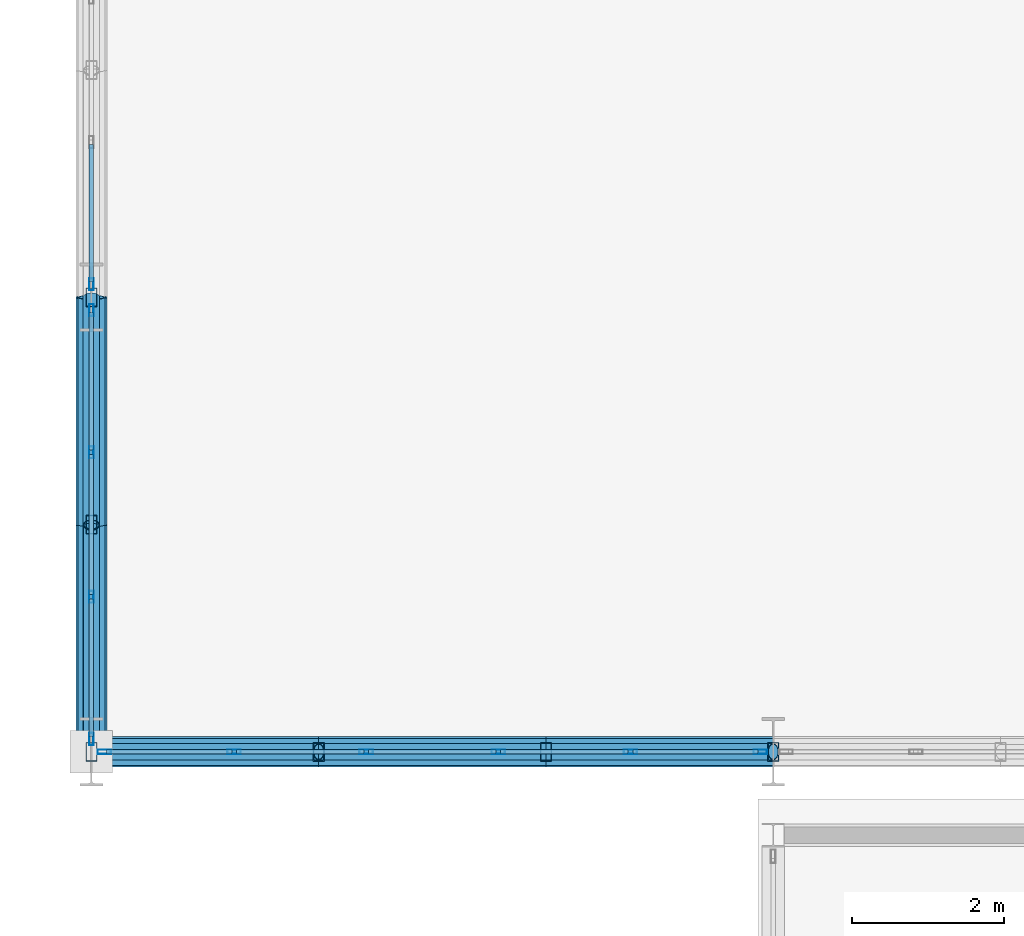
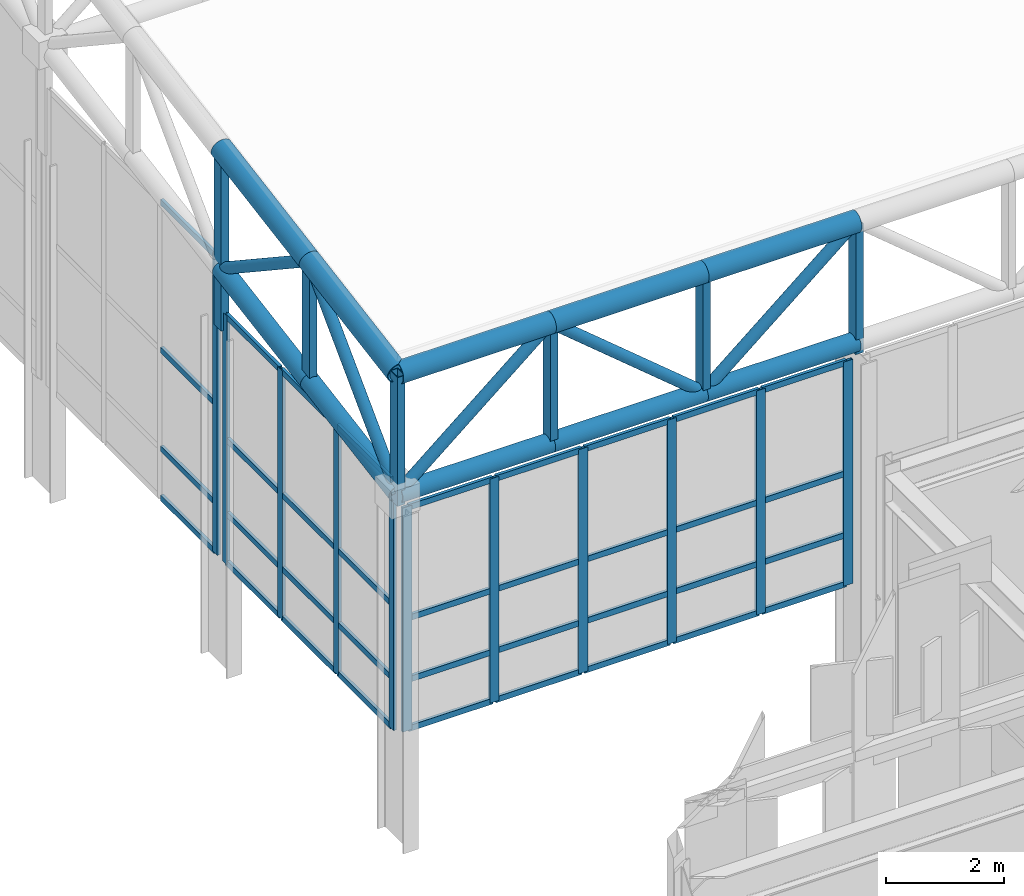
# One storey, part 32 of 239: 68 members, 3 elements without a shape of their own.
"""IFC4 building model written with IfcOpenShell, lengths in metres."""

from ifc_helpers import new_model, si_unit, direction, frame, origin, origin_2d, place, context, subcontext, project, spatial, hollow_rectangle, hollow_circle, extrude, material, material_profile, profile_set, type_object, element, aggregate, save


model = new_model("IFC4")

# Units and contexts
model_context = context("Model", 3, precision=1e-05, world=origin(), true_north=direction((0.0, 1.0)))
body_context = subcontext(model_context, "Body", "Model", "MODEL_VIEW")
ifc_project = project(units=[si_unit("LENGTHUNIT", "METRE"), si_unit("AREAUNIT", "SQUARE_METRE"), si_unit("VOLUMEUNIT", "CUBIC_METRE"), si_unit("PLANEANGLEUNIT", "RADIAN"), si_unit("MASSUNIT", "GRAM", prefix="KILO")], contexts=[model_context])

# Site, building, storey
site_placement = place(None, origin())
site = spatial("IfcSite", under=ifc_project, at=site_placement, CompositionType="ELEMENT")
building_placement = place(site_placement, origin())
building = spatial("IfcBuilding", under=site, at=building_placement, Name="Kaldris Quays Convention Centre", CompositionType="ELEMENT")
storey_placement = place(building_placement, frame((0.0, 0.0, 11.39990234375)))
storey = spatial("IfcBuildingStorey", under=building, at=storey_placement, Name="L02", CompositionType="ELEMENT", Elevation=11.39990234375)

# Curtain wall, members
ifc_material_1 = material(Name="Anodized aluminium AW-6060 and triple glazing", Category="aluminium")
curtain_wall_type = type_object("IfcCurtainWallType", Name="UNITISED CURTAIN WALL CW03", PredefinedType="NOTDEFINED", material=ifc_material_1)
curtain_wall_1_placement = place(storey_placement, origin())
curtain_wall_1 = element("IfcCurtainWall", 1, at=curtain_wall_1_placement, inside=storey, type_object=curtain_wall_type, Name="L02 Unitised Curtain Wall CW03 213", PredefinedType="NOTDEFINED")
ifc_material_2 = material(Name="Anodized aluminium AW-6060", Category="aluminium")
ifc_material_profile_1 = material_profile(ifc_material_2, hollow_rectangle(XDim=0.06005859375, YDim=0.159912109375, WallThickness=0.00390625, at=origin_2d()), Name="RHS 160x60x4")
ifc_profile_set_1 = profile_set([ifc_material_profile_1], Name="Anodized aluminium AW-6060")
member_type_1 = type_object("IfcMemberType", Name="CURTAIN MULLION CWM1", PredefinedType="MULLION", material=ifc_profile_set_1)
member_1_placement = place(storey_placement, frame((20.0, 56.169921875, 2.195068359375), z_axis=(0.0, 0.0, 1.0), x_axis=(-1.0, 0.0, 0.0)))
member_1 = element("IfcMember", 2, at=member_1_placement, type_object=member_type_1, Name="CW03 mullion 1", PredefinedType="MULLION", context=body_context, shape_type="SweptSolid", body=[
    extrude(hollow_rectangle(XDim=0.06005859375, YDim=0.159912109375, WallThickness=0.00390625, at=origin_2d()), origin(), (0.0, 0.0, 1.0), 5.1689453125),
])
member_2_placement = place(storey_placement, frame((20.0, 58.046630859375, 2.195068359375), z_axis=(0.0, 0.0, 1.0), x_axis=(-1.0, 0.0, 0.0)))
member_2 = element("IfcMember", 3, at=member_2_placement, type_object=member_type_1, Name="CW03 mullion 2", PredefinedType="MULLION", context=body_context, shape_type="SweptSolid", body=[
    extrude(hollow_rectangle(XDim=0.06005859375, YDim=0.159912109375, WallThickness=0.00390625, at=origin_2d()), origin(), (0.0, 0.0, 1.0), 5.1689453125),
])
member_3_placement = place(storey_placement, frame((20.0, 59.953369140625, 2.195068359375), z_axis=(0.0, 0.0, 1.0), x_axis=(-1.0, 0.0, 0.0)))
member_3 = element("IfcMember", 4, at=member_3_placement, type_object=member_type_1, Name="CW03 mullion 3", PredefinedType="MULLION", context=body_context, shape_type="SweptSolid", body=[
    extrude(hollow_rectangle(XDim=0.06005859375, YDim=0.159912109375, WallThickness=0.00390625, at=origin_2d()), origin(), (0.0, 0.0, 1.0), 5.1689453125),
])
member_4_placement = place(storey_placement, frame((20.0, 61.830078125, 2.195068359375), z_axis=(0.0, 0.0, 1.0), x_axis=(-1.0, 0.0, 0.0)))
member_4 = element("IfcMember", 5, at=member_4_placement, type_object=member_type_1, Name="CW03 mullion 4", PredefinedType="MULLION", context=body_context, shape_type="SweptSolid", body=[
    extrude(hollow_rectangle(XDim=0.06005859375, YDim=0.159912109375, WallThickness=0.00390625, at=origin_2d()), origin(), (0.0, 0.0, 1.0), 5.1689453125),
])

# Curtain wall, member
curtain_wall_2_placement = place(storey_placement, origin())
curtain_wall_2 = element("IfcCurtainWall", 6, at=curtain_wall_2_placement, inside=storey, type_object=curtain_wall_type, Name="L02 Unitised Curtain Wall CW03 214", PredefinedType="NOTDEFINED")
member_5_placement = place(storey_placement, frame((20.0, 62.169921875, 2.195068359375), z_axis=(0.0, 0.0, 1.0), x_axis=(-1.0, 0.0, 0.0)))
member_5 = element("IfcMember", 7, at=member_5_placement, type_object=member_type_1, Name="CW03 mullion 1", PredefinedType="MULLION", context=body_context, shape_type="SweptSolid", body=[
    extrude(hollow_rectangle(XDim=0.06005859375, YDim=0.159912109375, WallThickness=0.00390625, at=origin_2d()), origin(), (0.0, 0.0, 1.0), 6.197998046875),
])

# Curtain wall, members
curtain_wall_3_placement = place(storey_placement, origin())
curtain_wall_3 = element("IfcCurtainWall", 8, at=curtain_wall_3_placement, inside=storey, type_object=curtain_wall_type, Name="L02 Unitised Curtain Wall CW03 227", PredefinedType="NOTDEFINED")
ifc_material_profile_2 = material_profile(ifc_material_2, hollow_rectangle(XDim=0.06005859375, YDim=0.179931640625, WallThickness=0.0048828125, at=origin_2d()), Name="RHS 180x60x5")
ifc_profile_set_2 = profile_set([ifc_material_profile_2], Name="Anodized aluminium AW-6060")
member_type_2 = type_object("IfcMemberType", Name="CURTAIN MULLION CWM2", PredefinedType="MULLION", material=ifc_profile_set_2)
member_6_placement = place(storey_placement, frame((20.169921875, 56.0, 2.195068359375), z_axis=(0.0, 0.0, 1.0), x_axis=(0.0, 1.0, 0.0)))
member_6 = element("IfcMember", 9, at=member_6_placement, type_object=member_type_2, Name="CW03 mullion 1", PredefinedType="MULLION", context=body_context, shape_type="SweptSolid", body=[
    extrude(hollow_rectangle(XDim=0.06005859375, YDim=0.179931640625, WallThickness=0.0048828125, at=origin_2d()), origin(), (0.0, 0.0, 1.0), 4.655029296875),
])
member_7_placement = place(storey_placement, frame((21.884033203125, 56.0, 2.195068359375), z_axis=(0.0, 0.0, 1.0), x_axis=(0.0, 1.0, 0.0)))
member_7 = element("IfcMember", 10, at=member_7_placement, type_object=member_type_2, Name="CW03 mullion 2", PredefinedType="MULLION", context=body_context, shape_type="SweptSolid", body=[
    extrude(hollow_rectangle(XDim=0.06005859375, YDim=0.179931640625, WallThickness=0.0048828125, at=origin_2d()), origin(), (0.0, 0.0, 1.0), 4.655029296875),
])
member_8_placement = place(storey_placement, frame((23.6279296875, 56.0, 2.195068359375), z_axis=(0.0, 0.0, 1.0), x_axis=(0.0, 1.0, 0.0)))
member_8 = element("IfcMember", 11, at=member_8_placement, type_object=member_type_2, Name="CW03 mullion 3", PredefinedType="MULLION", context=body_context, shape_type="SweptSolid", body=[
    extrude(hollow_rectangle(XDim=0.06005859375, YDim=0.179931640625, WallThickness=0.0048828125, at=origin_2d()), origin(), (0.0, 0.0, 1.0), 4.655029296875),
])
member_9_placement = place(storey_placement, frame((25.3720703125, 56.0, 2.195068359375), z_axis=(0.0, 0.0, 1.0), x_axis=(0.0, 1.0, 0.0)))
member_9 = element("IfcMember", 12, at=member_9_placement, type_object=member_type_2, Name="CW03 mullion 4", PredefinedType="MULLION", context=body_context, shape_type="SweptSolid", body=[
    extrude(hollow_rectangle(XDim=0.06005859375, YDim=0.179931640625, WallThickness=0.0048828125, at=origin_2d()), origin(), (0.0, 0.0, 1.0), 4.655029296875),
])
member_10_placement = place(storey_placement, frame((27.115966796875, 56.0, 2.195068359375), z_axis=(0.0, 0.0, 1.0), x_axis=(0.0, 1.0, 0.0)))
member_10 = element("IfcMember", 13, at=member_10_placement, type_object=member_type_2, Name="CW03 mullion 5", PredefinedType="MULLION", context=body_context, shape_type="SweptSolid", body=[
    extrude(hollow_rectangle(XDim=0.06005859375, YDim=0.179931640625, WallThickness=0.0048828125, at=origin_2d()), origin(), (0.0, 0.0, 1.0), 4.655029296875),
])
member_11_placement = place(storey_placement, frame((28.830078125, 56.0, 2.195068359375), z_axis=(0.0, 0.0, 1.0), x_axis=(0.0, 1.0, 0.0)))
member_11 = element("IfcMember", 14, at=member_11_placement, type_object=member_type_2, Name="CW03 mullion 6", PredefinedType="MULLION", context=body_context, shape_type="SweptSolid", body=[
    extrude(hollow_rectangle(XDim=0.06005859375, YDim=0.179931640625, WallThickness=0.0048828125, at=origin_2d()), origin(), (0.0, 0.0, 1.0), 4.655029296875),
])

# Member
ifc_material_profile_3 = material_profile(ifc_material_2, hollow_rectangle(XDim=0.06005859375, YDim=0.1201171875, WallThickness=0.00390625, at=origin_2d()), Name="RHS 120x60x4")
ifc_profile_set_3 = profile_set([ifc_material_profile_3], Name="Anodized aluminium AW-6060")
member_type_3 = type_object("IfcMemberType", Name="CURTAIN TRANSOM CWT1", PredefinedType="USERDEFINED", material=ifc_profile_set_3)
member_12_placement = place(storey_placement, frame((20.0, 56.199951171875, 2.22509765625), z_axis=(0.0, 1.0, 0.0), x_axis=(-1.0, 0.0, 0.0)))
member_12 = element("IfcMember", 15, at=member_12_placement, type_object=member_type_3, Name="CW03 transom 1.1", ObjectType="TRANSOM", PredefinedType="USERDEFINED", context=body_context, shape_type="SweptSolid", body=[
    extrude(hollow_rectangle(XDim=0.06005859375, YDim=0.1201171875, WallThickness=0.00390625, at=origin_2d()), origin(), (0.0, 0.0, 1.0), 1.816650390625),
])

member_13_placement = place(storey_placement, frame((20.0, 56.199951171875, 3.2451171875), z_axis=(0.0, 1.0, 0.0), x_axis=(-1.0, 0.0, 0.0)))
member_13 = element("IfcMember", 16, at=member_13_placement, type_object=member_type_3, Name="CW03 transom 1.2", ObjectType="TRANSOM", PredefinedType="USERDEFINED", context=body_context, shape_type="SweptSolid", body=[
    extrude(hollow_rectangle(XDim=0.06005859375, YDim=0.1201171875, WallThickness=0.00390625, at=origin_2d()), origin(), (0.0, 0.0, 1.0), 1.816650390625),
])

member_14_placement = place(storey_placement, frame((20.0, 56.199951171875, 4.780029296875), z_axis=(0.0, 1.0, 0.0), x_axis=(-1.0, 0.0, 0.0)))
member_14 = element("IfcMember", 17, at=member_14_placement, type_object=member_type_3, Name="CW03 transom 1.3", ObjectType="TRANSOM", PredefinedType="USERDEFINED", context=body_context, shape_type="SweptSolid", body=[
    extrude(hollow_rectangle(XDim=0.06005859375, YDim=0.1201171875, WallThickness=0.00390625, at=origin_2d()), origin(), (0.0, 0.0, 1.0), 1.816650390625),
])

member_15_placement = place(storey_placement, frame((20.0, 56.199951171875, 7.333984375), z_axis=(0.0, 1.0, 0.0), x_axis=(-1.0, 0.0, 0.0)))
member_15 = element("IfcMember", 18, at=member_15_placement, type_object=member_type_3, Name="CW03 transom 1.4", ObjectType="TRANSOM", PredefinedType="USERDEFINED", context=body_context, shape_type="SweptSolid", body=[
    extrude(hollow_rectangle(XDim=0.06005859375, YDim=0.1201171875, WallThickness=0.00390625, at=origin_2d()), origin(), (0.0, 0.0, 1.0), 1.816650390625),
])

member_16_placement = place(storey_placement, frame((20.0, 58.07666015625, 2.22509765625), z_axis=(0.0, 1.0, 0.0), x_axis=(-1.0, 0.0, 0.0)))
member_16 = element("IfcMember", 19, at=member_16_placement, type_object=member_type_3, Name="CW03 transom 2.1", ObjectType="TRANSOM", PredefinedType="USERDEFINED", context=body_context, shape_type="SweptSolid", body=[
    extrude(hollow_rectangle(XDim=0.06005859375, YDim=0.1201171875, WallThickness=0.00390625, at=origin_2d()), origin(), (0.0, 0.0, 1.0), 1.8466796875),
])

member_17_placement = place(storey_placement, frame((20.0, 58.07666015625, 3.2451171875), z_axis=(0.0, 1.0, 0.0), x_axis=(-1.0, 0.0, 0.0)))
member_17 = element("IfcMember", 20, at=member_17_placement, type_object=member_type_3, Name="CW03 transom 2.2", ObjectType="TRANSOM", PredefinedType="USERDEFINED", context=body_context, shape_type="SweptSolid", body=[
    extrude(hollow_rectangle(XDim=0.06005859375, YDim=0.1201171875, WallThickness=0.00390625, at=origin_2d()), origin(), (0.0, 0.0, 1.0), 1.8466796875),
])

member_18_placement = place(storey_placement, frame((20.0, 58.07666015625, 4.780029296875), z_axis=(0.0, 1.0, 0.0), x_axis=(-1.0, 0.0, 0.0)))
member_18 = element("IfcMember", 21, at=member_18_placement, type_object=member_type_3, Name="CW03 transom 2.3", ObjectType="TRANSOM", PredefinedType="USERDEFINED", context=body_context, shape_type="SweptSolid", body=[
    extrude(hollow_rectangle(XDim=0.06005859375, YDim=0.1201171875, WallThickness=0.00390625, at=origin_2d()), origin(), (0.0, 0.0, 1.0), 1.8466796875),
])

member_19_placement = place(storey_placement, frame((20.0, 58.07666015625, 7.333984375), z_axis=(0.0, 1.0, 0.0), x_axis=(-1.0, 0.0, 0.0)))
member_19 = element("IfcMember", 22, at=member_19_placement, type_object=member_type_3, Name="CW03 transom 2.4", ObjectType="TRANSOM", PredefinedType="USERDEFINED", context=body_context, shape_type="SweptSolid", body=[
    extrude(hollow_rectangle(XDim=0.06005859375, YDim=0.1201171875, WallThickness=0.00390625, at=origin_2d()), origin(), (0.0, 0.0, 1.0), 1.8466796875),
])

member_20_placement = place(storey_placement, frame((20.0, 59.9833984375, 2.22509765625), z_axis=(0.0, 1.0, 0.0), x_axis=(-1.0, 0.0, 0.0)))
member_20 = element("IfcMember", 23, at=member_20_placement, type_object=member_type_3, Name="CW03 transom 3.1", ObjectType="TRANSOM", PredefinedType="USERDEFINED", context=body_context, shape_type="SweptSolid", body=[
    extrude(hollow_rectangle(XDim=0.06005859375, YDim=0.1201171875, WallThickness=0.00390625, at=origin_2d()), origin(), (0.0, 0.0, 1.0), 1.816650390625),
])

member_21_placement = place(storey_placement, frame((20.0, 59.9833984375, 3.2451171875), z_axis=(0.0, 1.0, 0.0), x_axis=(-1.0, 0.0, 0.0)))
member_21 = element("IfcMember", 24, at=member_21_placement, type_object=member_type_3, Name="CW03 transom 3.2", ObjectType="TRANSOM", PredefinedType="USERDEFINED", context=body_context, shape_type="SweptSolid", body=[
    extrude(hollow_rectangle(XDim=0.06005859375, YDim=0.1201171875, WallThickness=0.00390625, at=origin_2d()), origin(), (0.0, 0.0, 1.0), 1.816650390625),
])

member_22_placement = place(storey_placement, frame((20.0, 59.9833984375, 4.780029296875), z_axis=(0.0, 1.0, 0.0), x_axis=(-1.0, 0.0, 0.0)))
member_22 = element("IfcMember", 25, at=member_22_placement, type_object=member_type_3, Name="CW03 transom 3.3", ObjectType="TRANSOM", PredefinedType="USERDEFINED", context=body_context, shape_type="SweptSolid", body=[
    extrude(hollow_rectangle(XDim=0.06005859375, YDim=0.1201171875, WallThickness=0.00390625, at=origin_2d()), origin(), (0.0, 0.0, 1.0), 1.816650390625),
])

member_23_placement = place(storey_placement, frame((20.0, 59.9833984375, 7.333984375), z_axis=(0.0, 1.0, 0.0), x_axis=(-1.0, 0.0, 0.0)))
member_23 = element("IfcMember", 26, at=member_23_placement, type_object=member_type_3, Name="CW03 transom 3.4", ObjectType="TRANSOM", PredefinedType="USERDEFINED", context=body_context, shape_type="SweptSolid", body=[
    extrude(hollow_rectangle(XDim=0.06005859375, YDim=0.1201171875, WallThickness=0.00390625, at=origin_2d()), origin(), (0.0, 0.0, 1.0), 1.816650390625),
])

aggregate(curtain_wall_1, [member_1, member_2, member_3, member_4, member_12, member_13, member_14, member_15, member_16, member_17, member_18, member_19, member_20, member_21, member_22, member_23])

member_24_placement = place(storey_placement, frame((20.0, 62.199951171875, 2.22509765625), z_axis=(0.0, 1.0, 0.0), x_axis=(-1.0, 0.0, 0.0)))
member_24 = element("IfcMember", 27, at=member_24_placement, type_object=member_type_3, Name="CW03 transom 1.1", ObjectType="TRANSOM", PredefinedType="USERDEFINED", context=body_context, shape_type="SweptSolid", body=[
    extrude(hollow_rectangle(XDim=0.06005859375, YDim=0.1201171875, WallThickness=0.00390625, at=origin_2d()), origin(), (0.0, 0.0, 1.0), 1.816650390625),
])

member_25_placement = place(storey_placement, frame((20.0, 62.199951171875, 3.2451171875), z_axis=(0.0, 1.0, 0.0), x_axis=(-1.0, 0.0, 0.0)))
member_25 = element("IfcMember", 28, at=member_25_placement, type_object=member_type_3, Name="CW03 transom 1.2", ObjectType="TRANSOM", PredefinedType="USERDEFINED", context=body_context, shape_type="SweptSolid", body=[
    extrude(hollow_rectangle(XDim=0.06005859375, YDim=0.1201171875, WallThickness=0.00390625, at=origin_2d()), origin(), (0.0, 0.0, 1.0), 1.816650390625),
])

member_26_placement = place(storey_placement, frame((20.0, 62.199951171875, 5.294189453125), z_axis=(0.0, 1.0, 0.0), x_axis=(-1.0, 0.0, 0.0)))
member_26 = element("IfcMember", 29, at=member_26_placement, type_object=member_type_3, Name="CW03 transom 1.3", ObjectType="TRANSOM", PredefinedType="USERDEFINED", context=body_context, shape_type="SweptSolid", body=[
    extrude(hollow_rectangle(XDim=0.06005859375, YDim=0.1201171875, WallThickness=0.00390625, at=origin_2d()), origin(), (0.0, 0.0, 1.0), 1.816650390625),
])

member_27_placement = place(storey_placement, frame((20.0, 62.199951171875, 8.363037109375), z_axis=(0.0, 1.0, 0.0), x_axis=(-1.0, 0.0, 0.0)))
member_27 = element("IfcMember", 30, at=member_27_placement, type_object=member_type_3, Name="CW03 transom 1.4", ObjectType="TRANSOM", PredefinedType="USERDEFINED", context=body_context, shape_type="SweptSolid", body=[
    extrude(hollow_rectangle(XDim=0.06005859375, YDim=0.1201171875, WallThickness=0.00390625, at=origin_2d()), origin(), (0.0, 0.0, 1.0), 1.816650390625),
])

aggregate(curtain_wall_2, [member_5, member_24, member_25, member_26, member_27])

member_28_placement = place(storey_placement, frame((20.199951171875, 56.0, 2.22509765625), z_axis=(1.0, 0.0, 0.0), x_axis=(0.0, 1.0, 0.0)))
member_28 = element("IfcMember", 31, at=member_28_placement, type_object=member_type_3, Name="CW03 transom 1.1", ObjectType="TRANSOM", PredefinedType="USERDEFINED", context=body_context, shape_type="SweptSolid", body=[
    extrude(hollow_rectangle(XDim=0.06005859375, YDim=0.1201171875, WallThickness=0.00390625, at=origin_2d()), origin(), (0.0, 0.0, 1.0), 1.654052734375),
])

member_29_placement = place(storey_placement, frame((20.199951171875, 56.0, 3.2451171875), z_axis=(1.0, 0.0, 0.0), x_axis=(0.0, 1.0, 0.0)))
member_29 = element("IfcMember", 32, at=member_29_placement, type_object=member_type_3, Name="CW03 transom 1.2", ObjectType="TRANSOM", PredefinedType="USERDEFINED", context=body_context, shape_type="SweptSolid", body=[
    extrude(hollow_rectangle(XDim=0.06005859375, YDim=0.1201171875, WallThickness=0.00390625, at=origin_2d()), origin(), (0.0, 0.0, 1.0), 1.654052734375),
])

member_30_placement = place(storey_placement, frame((20.199951171875, 56.0, 4.522216796875), z_axis=(1.0, 0.0, 0.0), x_axis=(0.0, 1.0, 0.0)))
member_30 = element("IfcMember", 33, at=member_30_placement, type_object=member_type_3, Name="CW03 transom 1.3", ObjectType="TRANSOM", PredefinedType="USERDEFINED", context=body_context, shape_type="SweptSolid", body=[
    extrude(hollow_rectangle(XDim=0.06005859375, YDim=0.1201171875, WallThickness=0.00390625, at=origin_2d()), origin(), (0.0, 0.0, 1.0), 1.654052734375),
])

member_31_placement = place(storey_placement, frame((20.199951171875, 56.0, 6.820068359375), z_axis=(1.0, 0.0, 0.0), x_axis=(0.0, 1.0, 0.0)))
member_31 = element("IfcMember", 34, at=member_31_placement, type_object=member_type_3, Name="CW03 transom 1.4", ObjectType="TRANSOM", PredefinedType="USERDEFINED", context=body_context, shape_type="SweptSolid", body=[
    extrude(hollow_rectangle(XDim=0.06005859375, YDim=0.1201171875, WallThickness=0.00390625, at=origin_2d()), origin(), (0.0, 0.0, 1.0), 1.654052734375),
])

member_32_placement = place(storey_placement, frame((21.9140625, 56.0, 2.22509765625), z_axis=(1.0, 0.0, 0.0), x_axis=(0.0, 1.0, 0.0)))
member_32 = element("IfcMember", 35, at=member_32_placement, type_object=member_type_3, Name="CW03 transom 2.1", ObjectType="TRANSOM", PredefinedType="USERDEFINED", context=body_context, shape_type="SweptSolid", body=[
    extrude(hollow_rectangle(XDim=0.06005859375, YDim=0.1201171875, WallThickness=0.00390625, at=origin_2d()), origin(), (0.0, 0.0, 1.0), 1.683837890625),
])

member_33_placement = place(storey_placement, frame((21.9140625, 56.0, 3.2451171875), z_axis=(1.0, 0.0, 0.0), x_axis=(0.0, 1.0, 0.0)))
member_33 = element("IfcMember", 36, at=member_33_placement, type_object=member_type_3, Name="CW03 transom 2.2", ObjectType="TRANSOM", PredefinedType="USERDEFINED", context=body_context, shape_type="SweptSolid", body=[
    extrude(hollow_rectangle(XDim=0.06005859375, YDim=0.1201171875, WallThickness=0.00390625, at=origin_2d()), origin(), (0.0, 0.0, 1.0), 1.683837890625),
])

member_34_placement = place(storey_placement, frame((21.9140625, 56.0, 4.522216796875), z_axis=(1.0, 0.0, 0.0), x_axis=(0.0, 1.0, 0.0)))
member_34 = element("IfcMember", 37, at=member_34_placement, type_object=member_type_3, Name="CW03 transom 2.3", ObjectType="TRANSOM", PredefinedType="USERDEFINED", context=body_context, shape_type="SweptSolid", body=[
    extrude(hollow_rectangle(XDim=0.06005859375, YDim=0.1201171875, WallThickness=0.00390625, at=origin_2d()), origin(), (0.0, 0.0, 1.0), 1.683837890625),
])

member_35_placement = place(storey_placement, frame((21.9140625, 56.0, 6.820068359375), z_axis=(1.0, 0.0, 0.0), x_axis=(0.0, 1.0, 0.0)))
member_35 = element("IfcMember", 38, at=member_35_placement, type_object=member_type_3, Name="CW03 transom 2.4", ObjectType="TRANSOM", PredefinedType="USERDEFINED", context=body_context, shape_type="SweptSolid", body=[
    extrude(hollow_rectangle(XDim=0.06005859375, YDim=0.1201171875, WallThickness=0.00390625, at=origin_2d()), origin(), (0.0, 0.0, 1.0), 1.683837890625),
])

member_36_placement = place(storey_placement, frame((23.657958984375, 56.0, 2.22509765625), z_axis=(1.0, 0.0, 0.0), x_axis=(0.0, 1.0, 0.0)))
member_36 = element("IfcMember", 39, at=member_36_placement, type_object=member_type_3, Name="CW03 transom 3.1", ObjectType="TRANSOM", PredefinedType="USERDEFINED", context=body_context, shape_type="SweptSolid", body=[
    extrude(hollow_rectangle(XDim=0.06005859375, YDim=0.1201171875, WallThickness=0.00390625, at=origin_2d()), origin(), (0.0, 0.0, 1.0), 1.68408203125),
])

member_37_placement = place(storey_placement, frame((23.657958984375, 56.0, 3.2451171875), z_axis=(1.0, 0.0, 0.0), x_axis=(0.0, 1.0, 0.0)))
member_37 = element("IfcMember", 40, at=member_37_placement, type_object=member_type_3, Name="CW03 transom 3.2", ObjectType="TRANSOM", PredefinedType="USERDEFINED", context=body_context, shape_type="SweptSolid", body=[
    extrude(hollow_rectangle(XDim=0.06005859375, YDim=0.1201171875, WallThickness=0.00390625, at=origin_2d()), origin(), (0.0, 0.0, 1.0), 1.68408203125),
])

member_38_placement = place(storey_placement, frame((23.657958984375, 56.0, 4.522216796875), z_axis=(1.0, 0.0, 0.0), x_axis=(0.0, 1.0, 0.0)))
member_38 = element("IfcMember", 41, at=member_38_placement, type_object=member_type_3, Name="CW03 transom 3.3", ObjectType="TRANSOM", PredefinedType="USERDEFINED", context=body_context, shape_type="SweptSolid", body=[
    extrude(hollow_rectangle(XDim=0.06005859375, YDim=0.1201171875, WallThickness=0.00390625, at=origin_2d()), origin(), (0.0, 0.0, 1.0), 1.68408203125),
])

member_39_placement = place(storey_placement, frame((23.657958984375, 56.0, 6.820068359375), z_axis=(1.0, 0.0, 0.0), x_axis=(0.0, 1.0, 0.0)))
member_39 = element("IfcMember", 42, at=member_39_placement, type_object=member_type_3, Name="CW03 transom 3.4", ObjectType="TRANSOM", PredefinedType="USERDEFINED", context=body_context, shape_type="SweptSolid", body=[
    extrude(hollow_rectangle(XDim=0.06005859375, YDim=0.1201171875, WallThickness=0.00390625, at=origin_2d()), origin(), (0.0, 0.0, 1.0), 1.68408203125),
])

member_40_placement = place(storey_placement, frame((25.402099609375, 56.0, 2.22509765625), z_axis=(1.0, 0.0, 0.0), x_axis=(0.0, 1.0, 0.0)))
member_40 = element("IfcMember", 43, at=member_40_placement, type_object=member_type_3, Name="CW03 transom 4.1", ObjectType="TRANSOM", PredefinedType="USERDEFINED", context=body_context, shape_type="SweptSolid", body=[
    extrude(hollow_rectangle(XDim=0.06005859375, YDim=0.1201171875, WallThickness=0.00390625, at=origin_2d()), origin(), (0.0, 0.0, 1.0), 1.683837890625),
])

member_41_placement = place(storey_placement, frame((25.402099609375, 56.0, 3.2451171875), z_axis=(1.0, 0.0, 0.0), x_axis=(0.0, 1.0, 0.0)))
member_41 = element("IfcMember", 44, at=member_41_placement, type_object=member_type_3, Name="CW03 transom 4.2", ObjectType="TRANSOM", PredefinedType="USERDEFINED", context=body_context, shape_type="SweptSolid", body=[
    extrude(hollow_rectangle(XDim=0.06005859375, YDim=0.1201171875, WallThickness=0.00390625, at=origin_2d()), origin(), (0.0, 0.0, 1.0), 1.683837890625),
])

member_42_placement = place(storey_placement, frame((25.402099609375, 56.0, 4.522216796875), z_axis=(1.0, 0.0, 0.0), x_axis=(0.0, 1.0, 0.0)))
member_42 = element("IfcMember", 45, at=member_42_placement, type_object=member_type_3, Name="CW03 transom 4.3", ObjectType="TRANSOM", PredefinedType="USERDEFINED", context=body_context, shape_type="SweptSolid", body=[
    extrude(hollow_rectangle(XDim=0.06005859375, YDim=0.1201171875, WallThickness=0.00390625, at=origin_2d()), origin(), (0.0, 0.0, 1.0), 1.683837890625),
])

member_43_placement = place(storey_placement, frame((25.402099609375, 56.0, 6.820068359375), z_axis=(1.0, 0.0, 0.0), x_axis=(0.0, 1.0, 0.0)))
member_43 = element("IfcMember", 46, at=member_43_placement, type_object=member_type_3, Name="CW03 transom 4.4", ObjectType="TRANSOM", PredefinedType="USERDEFINED", context=body_context, shape_type="SweptSolid", body=[
    extrude(hollow_rectangle(XDim=0.06005859375, YDim=0.1201171875, WallThickness=0.00390625, at=origin_2d()), origin(), (0.0, 0.0, 1.0), 1.683837890625),
])

member_44_placement = place(storey_placement, frame((27.14599609375, 56.0, 2.22509765625), z_axis=(1.0, 0.0, 0.0), x_axis=(0.0, 1.0, 0.0)))
member_44 = element("IfcMember", 47, at=member_44_placement, type_object=member_type_3, Name="CW03 transom 5.1", ObjectType="TRANSOM", PredefinedType="USERDEFINED", context=body_context, shape_type="SweptSolid", body=[
    extrude(hollow_rectangle(XDim=0.06005859375, YDim=0.1201171875, WallThickness=0.00390625, at=origin_2d()), origin(), (0.0, 0.0, 1.0), 1.654052734375),
])

member_45_placement = place(storey_placement, frame((27.14599609375, 56.0, 3.2451171875), z_axis=(1.0, 0.0, 0.0), x_axis=(0.0, 1.0, 0.0)))
member_45 = element("IfcMember", 48, at=member_45_placement, type_object=member_type_3, Name="CW03 transom 5.2", ObjectType="TRANSOM", PredefinedType="USERDEFINED", context=body_context, shape_type="SweptSolid", body=[
    extrude(hollow_rectangle(XDim=0.06005859375, YDim=0.1201171875, WallThickness=0.00390625, at=origin_2d()), origin(), (0.0, 0.0, 1.0), 1.654052734375),
])

member_46_placement = place(storey_placement, frame((27.14599609375, 56.0, 4.522216796875), z_axis=(1.0, 0.0, 0.0), x_axis=(0.0, 1.0, 0.0)))
member_46 = element("IfcMember", 49, at=member_46_placement, type_object=member_type_3, Name="CW03 transom 5.3", ObjectType="TRANSOM", PredefinedType="USERDEFINED", context=body_context, shape_type="SweptSolid", body=[
    extrude(hollow_rectangle(XDim=0.06005859375, YDim=0.1201171875, WallThickness=0.00390625, at=origin_2d()), origin(), (0.0, 0.0, 1.0), 1.654052734375),
])

member_47_placement = place(storey_placement, frame((27.14599609375, 56.0, 6.820068359375), z_axis=(1.0, 0.0, 0.0), x_axis=(0.0, 1.0, 0.0)))
member_47 = element("IfcMember", 50, at=member_47_placement, type_object=member_type_3, Name="CW03 transom 5.4", ObjectType="TRANSOM", PredefinedType="USERDEFINED", context=body_context, shape_type="SweptSolid", body=[
    extrude(hollow_rectangle(XDim=0.06005859375, YDim=0.1201171875, WallThickness=0.00390625, at=origin_2d()), origin(), (0.0, 0.0, 1.0), 1.654052734375),
])

aggregate(curtain_wall_3, [member_6, member_7, member_8, member_9, member_10, member_11, member_28, member_29, member_30, member_31, member_32, member_33, member_34, member_35, member_36, member_37, member_38, member_39, member_40, member_41, member_42, member_43, member_44, member_45, member_46, member_47])

# Members
ifc_material_3 = material(Name="Steel S355J2H", Category="steel")
ifc_material_profile_4 = material_profile(ifc_material_3, hollow_circle(Radius=0.203125, WallThickness=0.01611328125, at=origin_2d()), Name="CHS 406.4x16")
ifc_profile_set_4 = profile_set([ifc_material_profile_4], Name="Steel S355J2H")
member_type_4 = type_object("IfcMemberType", Name="STRUCTURAL MEMBER SC01", PredefinedType="CHORD", material=ifc_profile_set_4)
for number, where, z_axis, x_axis, name in (
    (51, (20.0, 56.0, 9.671875), (1.0, 0.0, 0.0), (0.0, 1.0, 0.0), "SF-V1 Top Chord X 1"),
    (52, (23.0, 56.0, 9.671875), (1.0, 0.0, 0.0), (0.0, 1.0, 0.0), "SF-V1 Top Chord X 2"),
    (53, (26.0, 56.0, 9.671875), (1.0, 0.0, 0.0), (0.0, 1.0, 0.0), "SF-V1 Top Chord X 3"),
):
    element("IfcMember", number, at=place(storey_placement, frame(where, z_axis=z_axis, x_axis=x_axis)), inside=storey, type_object=member_type_4, Name=name, PredefinedType="CHORD", context=body_context, shape_type="SweptSolid", body=[
        extrude(hollow_circle(Radius=0.203125, WallThickness=0.01611328125, at=origin_2d()), origin(), (0.0, 0.0, 1.0), 3.0),
    ])
for number, where, z_axis, x_axis, name in (
    (54, (20.0, 56.0, 9.671875), (0.0, 0.985615766076, 0.169001661712), (-1.0, 0.0, 0.0), "SF-V1 Top Chord Y 337"),
    (55, (20.0, 59.0, 10.186279296875), (0.0, 0.98562912375, 0.168923741424), (-1.0, 0.0, 0.0), "SF-V1 Top Chord Y 338"),
):
    element("IfcMember", number, at=place(storey_placement, frame(where, z_axis=z_axis, x_axis=x_axis)), inside=storey, type_object=member_type_4, Name=name, PredefinedType="CHORD", context=body_context, shape_type="SweptSolid", body=[
        extrude(hollow_circle(Radius=0.203125, WallThickness=0.01611328125, at=origin_2d()), origin(), (0.0, 0.0, 1.0), 3.043701171875),
    ])
ifc_material_profile_5 = material_profile(ifc_material_3, hollow_circle(Radius=0.177734375, WallThickness=0.01611328125, at=origin_2d()), Name="CHS 355.6x16")
ifc_profile_set_5 = profile_set([ifc_material_profile_5], Name="Steel S355J2H")
member_type_5 = type_object("IfcMemberType", Name="STRUCTURAL MEMBER SC02", PredefinedType="CHORD", material=ifc_profile_set_5)
for number, where, z_axis, x_axis, name in (
    (56, (20.0, 56.0, 7.171875), (1.0, 0.0, 0.0), (0.0, 1.0, 0.0), "SF-V1 Bottom Chord X 1"),
    (57, (23.0, 56.0, 7.171875), (1.0, 0.0, 0.0), (0.0, 1.0, 0.0), "SF-V1 Bottom Chord X 2"),
    (58, (26.0, 56.0, 7.171875), (1.0, 0.0, 0.0), (0.0, 1.0, 0.0), "SF-V1 Bottom Chord X 3"),
):
    element("IfcMember", number, at=place(storey_placement, frame(where, z_axis=z_axis, x_axis=x_axis)), inside=storey, type_object=member_type_5, Name=name, PredefinedType="CHORD", context=body_context, shape_type="SweptSolid", body=[
        extrude(hollow_circle(Radius=0.177734375, WallThickness=0.01611328125, at=origin_2d()), origin(), (0.0, 0.0, 1.0), 3.0),
    ])
for number, where, z_axis, x_axis, name in (
    (59, (20.0, 56.0, 7.171875), (0.0, 0.985615766076, 0.169001661712), (-1.0, 0.0, 0.0), "SF-V1 Bottom Chord Y 337"),
    (60, (20.0, 59.0, 7.686279296875), (0.0, 0.98562912375, 0.168923741424), (-1.0, 0.0, 0.0), "SF-V1 Bottom Chord Y 338"),
):
    element("IfcMember", number, at=place(storey_placement, frame(where, z_axis=z_axis, x_axis=x_axis)), inside=storey, type_object=member_type_5, Name=name, PredefinedType="CHORD", context=body_context, shape_type="SweptSolid", body=[
        extrude(hollow_circle(Radius=0.177734375, WallThickness=0.01611328125, at=origin_2d()), origin(), (0.0, 0.0, 1.0), 3.043701171875),
    ])
ifc_material_profile_6 = material_profile(ifc_material_3, hollow_circle(Radius=0.109619140625, WallThickness=0.010009765625, at=origin_2d()), Name="CHS 219.1x10")
ifc_profile_set_6 = profile_set([ifc_material_profile_6], Name="Steel S355J2H")
member_type_6 = type_object("IfcMemberType", Name="STRUCTURAL MEMBER SWB1", PredefinedType="BRACE", material=ifc_profile_set_6)
for number, where, z_axis, x_axis, name in (
    (61, (20.0, 56.0, 7.171875), (0.768221279597, 0.0, 0.640184399664), (0.0, 1.0, 0.0), "SF-V1 Web Diagonal X 1"),
    (62, (26.0, 56.0, 7.171875), (-0.768221279597, 0.0, 0.640184399664), (0.0, -1.0, 0.0), "SF-V1 Web Diagonal X 2"),
    (63, (26.0, 56.0, 7.171875), (0.768221279597, 0.0, 0.640184399664), (0.0, 1.0, 0.0), "SF-V1 Web Diagonal X 3"),
):
    element("IfcMember", number, at=place(storey_placement, frame(where, z_axis=z_axis, x_axis=x_axis)), inside=storey, type_object=member_type_6, Name=name, PredefinedType="BRACE", context=body_context, shape_type="SweptSolid", body=[
        extrude(hollow_circle(Radius=0.109619140625, WallThickness=0.010009765625, at=origin_2d()), origin(), (0.0, 0.0, 1.0), 3.905029296875),
    ])
member_48_placement = place(storey_placement, frame((20.0, 56.0, 7.171875), z_axis=(0.0, 0.705411261057, 0.708798245465), x_axis=(-1.0, 0.0, 0.0)))
element("IfcMember", 64, at=member_48_placement, inside=storey, type_object=member_type_6, Name="SF-V1 Web Diagonal Y 337", PredefinedType="BRACE", context=body_context, shape_type="SweptSolid", body=[
    extrude(hollow_circle(Radius=0.109619140625, WallThickness=0.010009765625, at=origin_2d()), origin(), (0.0, 0.0, 1.0), 4.2529296875),
])
member_49_placement = place(storey_placement, frame((20.0, 62.0, 8.200439453125), z_axis=(0.0, -0.833862389808, 0.551972385962), x_axis=(1.0, 0.0, 0.0)))
element("IfcMember", 65, at=member_49_placement, inside=storey, type_object=member_type_6, Name="SF-V1 Web Diagonal Y 338", PredefinedType="BRACE", context=body_context, shape_type="SweptSolid", body=[
    extrude(hollow_circle(Radius=0.109619140625, WallThickness=0.010009765625, at=origin_2d()), origin(), (0.0, 0.0, 1.0), 3.59765625),
])
ifc_material_profile_7 = material_profile(ifc_material_3, hollow_rectangle(XDim=0.14990234375, YDim=0.25, WallThickness=0.010009765625, at=origin_2d()), Name="RHS 250x150x10")
ifc_profile_set_7 = profile_set([ifc_material_profile_7], Name="Steel S355J2H")
member_type_7 = type_object("IfcMemberType", Name="STRUCTURAL MEMBER TTV1", PredefinedType="POST", material=ifc_profile_set_7)
member_50_placement = place(storey_placement, frame((20.0, 56.0, 6.994140625), z_axis=(0.0, 0.0, 1.0), x_axis=(1.0, 0.0, 0.0)))
element("IfcMember", 66, at=member_50_placement, inside=storey, type_object=member_type_7, Name="SF-V1 Space-Frame Post 1", PredefinedType="POST", context=body_context, shape_type="SweptSolid", body=[
    extrude(hollow_rectangle(XDim=0.14990234375, YDim=0.25, WallThickness=0.010009765625, at=origin_2d()), origin(), (0.0, 0.0, 1.0), 2.677734375),
])
member_51_placement = place(storey_placement, frame((20.0, 59.0, 7.686279296875), z_axis=(0.0, 0.0, 1.0), x_axis=(1.0, 0.0, 0.0)))
element("IfcMember", 67, at=member_51_placement, inside=storey, type_object=member_type_7, Name="SF-V1 Space-Frame Post 2", PredefinedType="POST", context=body_context, shape_type="SweptSolid", body=[
    extrude(hollow_rectangle(XDim=0.14990234375, YDim=0.25, WallThickness=0.010009765625, at=origin_2d()), origin(), (0.0, 0.0, 1.0), 2.5),
])
member_52_placement = place(storey_placement, frame((20.0, 62.0, 6.994140625), z_axis=(0.0, 0.0, 1.0), x_axis=(1.0, 0.0, 0.0)))
element("IfcMember", 68, at=member_52_placement, inside=storey, type_object=member_type_7, Name="SF-V1 Space-Frame Post 3", PredefinedType="POST", context=body_context, shape_type="SweptSolid", body=[
    extrude(hollow_rectangle(XDim=0.14990234375, YDim=0.25, WallThickness=0.010009765625, at=origin_2d()), origin(), (0.0, 0.0, 1.0), 3.706298828125),
])
for number, where, z_axis, x_axis, name in (
    (69, (23.0, 56.0, 7.171875), (0.0, 0.0, 1.0), (1.0, 0.0, 0.0), "SF-V1 Space-Frame Post 30"),
    (70, (26.0, 56.0, 7.171875), (0.0, 0.0, 1.0), (1.0, 0.0, 0.0), "SF-V1 Space-Frame Post 38"),
):
    element("IfcMember", number, at=place(storey_placement, frame(where, z_axis=z_axis, x_axis=x_axis)), inside=storey, type_object=member_type_7, Name=name, PredefinedType="POST", context=body_context, shape_type="SweptSolid", body=[
        extrude(hollow_rectangle(XDim=0.14990234375, YDim=0.25, WallThickness=0.010009765625, at=origin_2d()), origin(), (0.0, 0.0, 1.0), 2.5),
    ])
member_53_placement = place(storey_placement, frame((29.0, 56.0, 6.994140625), z_axis=(0.0, 0.0, 1.0), x_axis=(1.0, 0.0, 0.0)))
element("IfcMember", 71, at=member_53_placement, inside=storey, type_object=member_type_7, Name="SF-V1 Space-Frame Post 46", PredefinedType="POST", context=body_context, shape_type="SweptSolid", body=[
    extrude(hollow_rectangle(XDim=0.14990234375, YDim=0.25, WallThickness=0.010009765625, at=origin_2d()), origin(), (0.0, 0.0, 1.0), 2.677734375),
])

save(model, "model.ifc")
